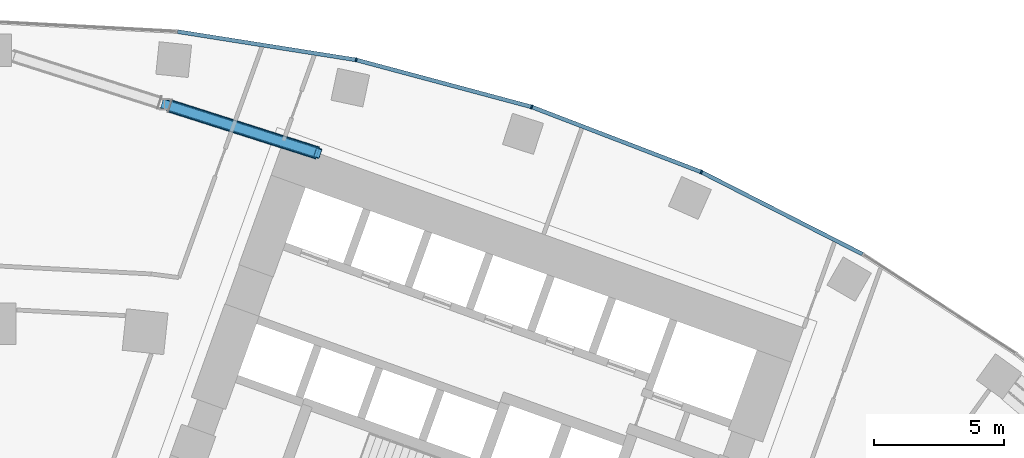
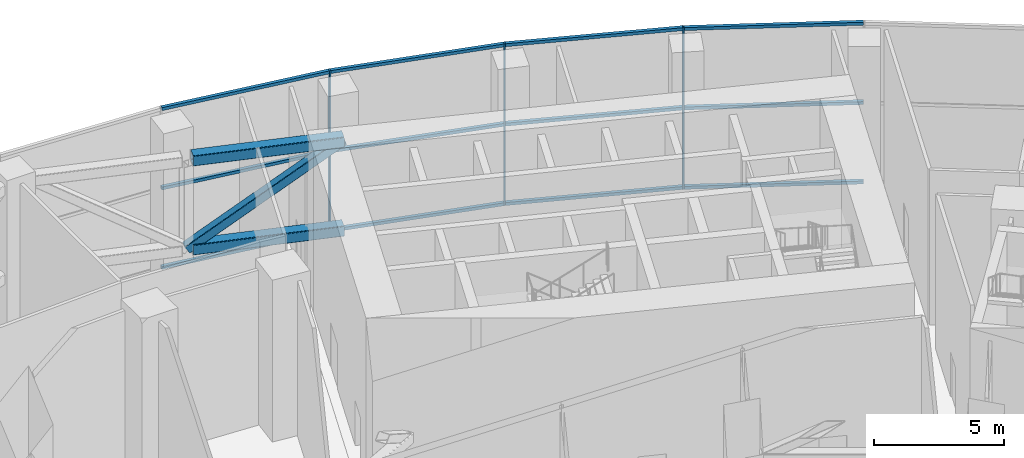
# One storey, part 13 of 33: 18 members, 1 element without a shape of its own.
"""IFC4 building model written with IfcOpenShell, lengths in metres."""

import ifcopenshell
import ifcopenshell.guid

model = None  # the IFC model being written
_history = None  # IfcOwnerHistory: only IFC2X3 demands one
_inside = {}  # id of a spatial element -> (the spatial element, [elements in it])
_under = {}  # id of a project, library or spatial element -> (it, [spatial elements below it])
_declared = {}  # id of a project -> (the project, [libraries it declares])
_typed = {}  # id of a type object -> (the type object, [elements of that type])
_made_of = {}  # id of a material, layer set ... -> (it, [elements and type objects made of it])


def new_model(schema):
    """Start an empty IFC model of exactly this schema.

    Asked for "IFC4X3", IfcOpenShell would pick the latest addendum, in which some entities
    have other attributes; the version numbers below select the first issue.
    IFC2X3 requires an IfcOwnerHistory on every rooted entity: one is made here for all.
    """
    global model, _history
    if schema == "IFC4X3":
        model = ifcopenshell.file(schema_version=(4, 3, 0, 0))
    else:
        model = ifcopenshell.file(schema=schema)
    _inside.clear()
    _under.clear()
    _declared.clear()
    _typed.clear()
    _made_of.clear()
    _history = None
    if model.schema == "IFC2X3":
        org = make("IfcOrganization", Name="unknown")
        user = make(
            "IfcPersonAndOrganization",
            ThePerson=make("IfcPerson", FamilyName="unknown"),
            TheOrganization=org,
        )
        app = make(
            "IfcApplication",
            ApplicationDeveloper=org,
            Version="unknown",
            ApplicationFullName="unknown",
            ApplicationIdentifier="unknown",
        )
        _history = make(
            "IfcOwnerHistory",
            OwningUser=user,
            OwningApplication=app,
            ChangeAction="ADDED",
            CreationDate=0,
        )
    return model


def make(cls, **values):
    """One entity of the class cls with the attributes given. An attribute that is None is left unset."""
    return model.create_entity(
        cls, **{name: value for name, value in values.items() if value is not None}
    )


def rooted(cls, **values):
    """An entity with a GlobalId (a new one), such as an element, a storey or a relation."""
    return make(cls, GlobalId=ifcopenshell.guid.new(), OwnerHistory=_history, **values)


def si_unit(unit_type, name, prefix=None):
    """IfcSIUnit, for example si_unit("LENGTHUNIT", "METRE", prefix="MILLI")."""
    return make("IfcSIUnit", UnitType=unit_type, Prefix=prefix, Name=name)


def assignment(units):
    """IfcUnitAssignment: the units of a project."""
    return None if units is None else make("IfcUnitAssignment", Units=units)


def point(xyz):
    """IfcCartesianPoint."""
    return None if xyz is None else make("IfcCartesianPoint", Coordinates=xyz)


def direction(xyz):
    """IfcDirection."""
    return None if xyz is None else make("IfcDirection", DirectionRatios=xyz)


def frame(location, z_axis=None, x_axis=None):
    """IfcAxis2Placement3D, a coordinate frame: its origin and axes. An axis left out is left unset."""
    return make(
        "IfcAxis2Placement3D",
        Location=point(location),
        Axis=direction(z_axis),
        RefDirection=direction(x_axis),
    )


def frame_2d(location, x_axis=None):
    """IfcAxis2Placement2D, a coordinate frame in the plane: its origin and x axis."""
    return make(
        "IfcAxis2Placement2D", Location=point(location), RefDirection=direction(x_axis)
    )


def origin():
    """The frame at (0, 0, 0) with its axes left unset."""
    return frame((0.0, 0.0, 0.0))


def origin_2d():
    """The frame at (0, 0) in the plane with its x axis left unset."""
    return frame_2d((0.0, 0.0))


def place(relative_to, where):
    """IfcLocalPlacement: puts the frame where relative to a parent placement (None: the world)."""
    return make(
        "IfcLocalPlacement", PlacementRelTo=relative_to, RelativePlacement=where
    )


def context(
    kind, dimensions, precision=None, world=None, true_north=None, identifier=None
):
    """IfcGeometricRepresentationContext, for example the 3D "Model" context."""
    return make(
        "IfcGeometricRepresentationContext",
        ContextIdentifier=identifier,
        ContextType=kind,
        CoordinateSpaceDimension=dimensions,
        Precision=precision,
        WorldCoordinateSystem=world,
        TrueNorth=true_north,
    )


def subcontext(parent, identifier, kind, view, scale=None):
    """IfcGeometricRepresentationSubContext, for example "Body" below "Model"."""
    return make(
        "IfcGeometricRepresentationSubContext",
        ContextIdentifier=identifier,
        ContextType=kind,
        ParentContext=parent,
        TargetScale=scale,
        TargetView=view,
    )


def project(units=None, contexts=None):
    """IfcProject with its units and contexts."""
    return rooted(
        "IfcProject",
        Name="project",
        RepresentationContexts=contexts,
        UnitsInContext=assignment(units),
    )


def spatial(cls, under=None, at=None, **own):
    """A site, building, storey or space (cls), placed at a placement, below another one or the project."""
    s = rooted(cls, ObjectPlacement=at, **own)
    if under is not None:
        _under.setdefault(under.id(), (under, []))[1].append(s)
    return s


def profile(cls, at=None, kind="AREA", **sizes):
    """A parametric profile (cls). Its sizes go by their IFC names, for example OverallWidth=200.0."""
    return make(cls, ProfileType=kind, Position=at, **sizes)


def rectangle(**sizes):
    """IfcRectangleProfileDef."""
    return profile("IfcRectangleProfileDef", **sizes)


def hollow_rectangle(**sizes):
    """IfcRectangleHollowProfileDef."""
    return profile("IfcRectangleHollowProfileDef", **sizes)


def extrude(swept, where, along, depth):
    """IfcExtrudedAreaSolid: the profile swept, set in the frame where, extruded along a direction by depth."""
    return make(
        "IfcExtrudedAreaSolid",
        SweptArea=swept,
        Position=where,
        ExtrudedDirection=direction(along),
        Depth=depth,
    )


def shape(context_of_items, identifier, shape_type, items):
    """IfcShapeRepresentation: the items that make up one representation, for example the "Body"."""
    return make(
        "IfcShapeRepresentation",
        ContextOfItems=context_of_items,
        RepresentationIdentifier=identifier,
        RepresentationType=shape_type,
        Items=items,
    )


def material(Name=None, Category=None):
    """IfcMaterial."""
    return make("IfcMaterial", Name=Name, Category=Category)


def layer(
    of_material, thickness, ventilated=None, Name=None, Category=None, Priority=None
):
    """IfcMaterialLayer: one layer of a wall or slab, of a material (None: an air gap)."""
    return make(
        "IfcMaterialLayer",
        Material=of_material,
        LayerThickness=thickness,
        IsVentilated=ventilated,
        Name=Name,
        Category=Category,
        Priority=Priority,
    )


def layer_set(layers, Name=None):
    """IfcMaterialLayerSet."""
    return make("IfcMaterialLayerSet", MaterialLayers=layers, LayerSetName=Name)


def material_profile(
    of_material, cross_section, Name=None, Category=None, Priority=None
):
    """IfcMaterialProfile: a cross section and its material."""
    return make(
        "IfcMaterialProfile",
        Name=Name,
        Material=of_material,
        Profile=cross_section,
        Priority=Priority,
        Category=Category,
    )


def profile_set(profiles, Name=None, composite=None):
    """IfcMaterialProfileSet."""
    return make(
        "IfcMaterialProfileSet",
        Name=Name,
        MaterialProfiles=profiles,
        CompositeProfile=composite,
    )


def made_of(thing, what):
    """Note that an element or type object is made of a material, layer set ...; save() writes the relation."""
    if what is not None:
        _made_of.setdefault(what.id(), (what, []))[1].append(thing)
    return thing


def type_object(cls, material=None, **own):
    """A type object (cls), such as IfcWallType, which elements share."""
    return made_of(rooted(cls, **own), material)


def element(
    cls,
    number,
    at=None,
    inside=None,
    cuts=None,
    type_object=None,
    material=None,
    context=None,
    identifier="Body",
    shape_type=None,
    held_by="IfcProductDefinitionShape",
    body=None,
    shapes=None,
    **own,
):
    """One element of the class cls, such as IfcWall. Its Tag is "e" and its number.

    at: its placement. inside: the storey or other place that contains it. cuts: it is an
    opening in that element (IfcRelVoidsElement). A single representation is given by context,
    identifier, shape_type and body (its items); several are given by shapes. held_by: the class
    of the entity that holds the representations. save() writes the other relations.
    """
    e = rooted(cls, Tag="e%d" % number, ObjectPlacement=at, **own)
    if body is not None:
        shapes = [shape(context, identifier, shape_type, body)]
    if shapes is not None:
        e.Representation = make(held_by, Representations=shapes)
    if inside is not None:
        _inside.setdefault(inside.id(), (inside, []))[1].append(e)
    if cuts is not None:
        rooted(
            "IfcRelVoidsElement", RelatingBuildingElement=cuts, RelatedOpeningElement=e
        )
    if type_object is not None:
        _typed.setdefault(type_object.id(), (type_object, []))[1].append(e)
    return made_of(e, material)


def aggregate(whole, parts):
    """IfcRelAggregates: a whole, such as a stair, and the parts it consists of."""
    return rooted("IfcRelAggregates", RelatingObject=whole, RelatedObjects=parts)


def save(model, path):
    """Write the relations noted so far, then the file.

    IfcRelAggregates (storeys below a building ...), IfcRelContainedInSpatialStructure (elements
    in a storey), IfcRelDefinesByType, IfcRelAssociatesMaterial and IfcRelDeclares: one each for
    every whole, place, type object, material and project.
    """
    for whole, parts in _under.values():
        aggregate(whole, parts)
    for where, things in _inside.values():
        rooted(
            "IfcRelContainedInSpatialStructure",
            RelatedElements=things,
            RelatingStructure=where,
        )
    for kind, things in _typed.values():
        rooted("IfcRelDefinesByType", RelatedObjects=things, RelatingType=kind)
    for what, things in _made_of.values():
        rooted("IfcRelAssociatesMaterial", RelatedObjects=things, RelatingMaterial=what)
    for by, libraries in _declared.values():
        rooted("IfcRelDeclares", RelatingContext=by, RelatedDefinitions=libraries)
    model.write(path)


model = new_model("IFC4")

# Units and contexts
model_context = context("Model", 3, precision=1e-05, world=origin(), true_north=direction((0.0, 1.0)))
body_context = subcontext(model_context, "Body", "Model", "MODEL_VIEW")
ifc_project = project(units=[si_unit("LENGTHUNIT", "METRE"), si_unit("AREAUNIT", "SQUARE_METRE"), si_unit("VOLUMEUNIT", "CUBIC_METRE"), si_unit("PLANEANGLEUNIT", "RADIAN"), si_unit("MASSUNIT", "GRAM", prefix="KILO")], contexts=[model_context])

# Site, building, storey
site_placement = place(None, origin())
site = spatial("IfcSite", under=ifc_project, at=site_placement, CompositionType="ELEMENT")
building_placement = place(site_placement, origin())
building = spatial("IfcBuilding", under=site, at=building_placement, Name="Stone Belt Terrace Tower", CompositionType="ELEMENT")
storey_placement = place(building_placement, frame((0.0, 0.0, 79.39990234375)))
storey = spatial("IfcBuildingStorey", under=building, at=storey_placement, Name="L19", CompositionType="ELEMENT", Elevation=79.39990234375)

# Curtain wall, members
ifc_material_1 = material(Name="Aluminium 6063-T6 anodised frame", Category="aluminium")
ifc_layer = layer(ifc_material_1, 0.14990234375)
ifc_layer_set = layer_set([ifc_layer], Name="CW-A unitised convex-face curtain wall")
curtain_wall_type = type_object("IfcCurtainWallType", Name="CW-A unitised convex-face curtain wall", PredefinedType="NOTDEFINED", material=ifc_layer_set)
curtain_wall_placement = place(storey_placement, origin())
curtain_wall = element("IfcCurtainWall", 1, at=curtain_wall_placement, inside=storey, type_object=curtain_wall_type, Name="CW-A convex face L19", PredefinedType="NOTDEFINED")
ifc_material_profile_1 = material_profile(ifc_material_1, rectangle(XDim=0.14990234375, YDim=0.06005859375, at=origin_2d()), Name="Aluminium 6063-T6 60x150")
ifc_profile_set_1 = profile_set([ifc_material_profile_1], Name="Aluminium 6063-T6 anodised frame")
member_type_1 = type_object("IfcMemberType", Name="CW-A mullion 60 x 150", PredefinedType="MULLION", material=ifc_profile_set_1)
member_1_placement = place(storey_placement, frame((27.07861328125, 60.8193359375, 0.0), z_axis=(0.0, 0.0, 1.0), x_axis=(-0.406736643076, -0.913545457643, 0.0)))
member_1 = element("IfcMember", 2, at=member_1_placement, type_object=member_type_1, Name="CW-A mullion 6", PredefinedType="MULLION", context=body_context, shape_type="SweptSolid", body=[
    extrude(rectangle(XDim=0.14990234375, YDim=0.06005859375, at=origin_2d()), origin(), (0.0, 0.0, 1.0), 7.60009765625),
])
member_2_placement = place(storey_placement, frame((20.57275390625, 63.316650390625, 0.0), z_axis=(0.0, 0.0, 1.0), x_axis=(-0.309016994375, -0.951056516295, 0.0)))
member_2 = element("IfcMember", 3, at=member_2_placement, type_object=member_type_1, Name="CW-A mullion 7", PredefinedType="MULLION", context=body_context, shape_type="SweptSolid", body=[
    extrude(rectangle(XDim=0.14990234375, YDim=0.06005859375, at=origin_2d()), origin(), (0.0, 0.0, 1.0), 7.60009765625),
])
member_3_placement = place(storey_placement, frame((13.841796875, 65.120361328125, 0.0), z_axis=(0.0, 0.0, 1.0), x_axis=(-0.207911690818, -0.978147600734, 0.0)))
member_3 = element("IfcMember", 4, at=member_3_placement, type_object=member_type_1, Name="CW-A mullion 8", PredefinedType="MULLION", context=body_context, shape_type="SweptSolid", body=[
    extrude(rectangle(XDim=0.14990234375, YDim=0.06005859375, at=origin_2d()), origin(), (0.0, 0.0, 1.0), 7.60009765625),
])
ifc_material_profile_2 = material_profile(ifc_material_1, rectangle(XDim=0.14990234375, YDim=0.139892578125, at=origin_2d()), Name="Aluminium 6063-T6 150x140")
ifc_profile_set_2 = profile_set([ifc_material_profile_2], Name="Aluminium 6063-T6 anodised frame")
member_type_2 = type_object("IfcMemberType", Name="CW-A transom 140 x 150", PredefinedType="USERDEFINED", material=ifc_profile_set_2)
member_4_placement = place(storey_placement, frame((33.25732421875, 57.671142578125, 0.070068359375), z_axis=(-0.891012226264, 0.453979308613, 0.0), x_axis=(-0.453979308613, -0.891012226264, 0.0)))
member_4 = element("IfcMember", 5, at=member_4_placement, type_object=member_type_2, Name="CW-A transom 5.1", ObjectType="TRANSOM", PredefinedType="USERDEFINED", context=body_context, shape_type="SweptSolid", body=[
    extrude(rectangle(XDim=0.14990234375, YDim=0.139892578125, at=origin_2d()), origin(), (0.0, 0.0, 1.0), 6.90087890625),
])
member_5_placement = place(storey_placement, frame((33.25732421875, 57.671142578125, 3.800048828125), z_axis=(-0.891012226264, 0.453979308613, 0.0), x_axis=(-0.453979308613, -0.891012226264, 0.0)))
member_5 = element("IfcMember", 6, at=member_5_placement, type_object=member_type_2, Name="CW-A transom 5.2", ObjectType="TRANSOM", PredefinedType="USERDEFINED", context=body_context, shape_type="SweptSolid", body=[
    extrude(rectangle(XDim=0.14990234375, YDim=0.139892578125, at=origin_2d()), origin(), (0.0, 0.0, 1.0), 6.90087890625),
])
member_6_placement = place(storey_placement, frame((33.25732421875, 57.671142578125, 7.530029296875), z_axis=(-0.891012226264, 0.453979308613, 0.0), x_axis=(-0.453979308613, -0.891012226264, 0.0)))
member_6 = element("IfcMember", 7, at=member_6_placement, type_object=member_type_2, Name="CW-A transom 5.3", ObjectType="TRANSOM", PredefinedType="USERDEFINED", context=body_context, shape_type="SweptSolid", body=[
    extrude(rectangle(XDim=0.14990234375, YDim=0.139892578125, at=origin_2d()), origin(), (0.0, 0.0, 1.0), 6.90087890625),
])
member_7_placement = place(storey_placement, frame((27.046875, 60.83154296875, 0.070068359375), z_axis=(-0.933585210269, 0.358355487146, 0.0), x_axis=(-0.358355487146, -0.933585210269, 0.0)))
member_7 = element("IfcMember", 8, at=member_7_placement, type_object=member_type_2, Name="CW-A transom 6.1", ObjectType="TRANSOM", PredefinedType="USERDEFINED", context=body_context, shape_type="SweptSolid", body=[
    extrude(rectangle(XDim=0.14990234375, YDim=0.139892578125, at=origin_2d()), origin(), (0.0, 0.0, 1.0), 6.900634765625),
])
member_8_placement = place(storey_placement, frame((27.046875, 60.83154296875, 3.800048828125), z_axis=(-0.933585210269, 0.358355487146, 0.0), x_axis=(-0.358355487146, -0.933585210269, 0.0)))
member_8 = element("IfcMember", 9, at=member_8_placement, type_object=member_type_2, Name="CW-A transom 6.2", ObjectType="TRANSOM", PredefinedType="USERDEFINED", context=body_context, shape_type="SweptSolid", body=[
    extrude(rectangle(XDim=0.14990234375, YDim=0.139892578125, at=origin_2d()), origin(), (0.0, 0.0, 1.0), 6.900634765625),
])
member_9_placement = place(storey_placement, frame((27.046875, 60.83154296875, 7.530029296875), z_axis=(-0.933585210269, 0.358355487146, 0.0), x_axis=(-0.358355487146, -0.933585210269, 0.0)))
member_9 = element("IfcMember", 10, at=member_9_placement, type_object=member_type_2, Name="CW-A transom 6.3", ObjectType="TRANSOM", PredefinedType="USERDEFINED", context=body_context, shape_type="SweptSolid", body=[
    extrude(rectangle(XDim=0.14990234375, YDim=0.139892578125, at=origin_2d()), origin(), (0.0, 0.0, 1.0), 6.900634765625),
])
member_10_placement = place(storey_placement, frame((20.5400390625, 63.325439453125, 0.070068359375), z_axis=(-0.965921835863, 0.258833937117, 0.0), x_axis=(-0.258833937117, -0.965921835863, 0.0)))
member_10 = element("IfcMember", 11, at=member_10_placement, type_object=member_type_2, Name="CW-A transom 7.1", ObjectType="TRANSOM", PredefinedType="USERDEFINED", context=body_context, shape_type="SweptSolid", body=[
    extrude(rectangle(XDim=0.14990234375, YDim=0.139892578125, at=origin_2d()), origin(), (0.0, 0.0, 1.0), 6.900634765625),
])
member_11_placement = place(storey_placement, frame((20.5400390625, 63.325439453125, 3.800048828125), z_axis=(-0.965921835863, 0.258833937117, 0.0), x_axis=(-0.258833937117, -0.965921835863, 0.0)))
member_11 = element("IfcMember", 12, at=member_11_placement, type_object=member_type_2, Name="CW-A transom 7.2", ObjectType="TRANSOM", PredefinedType="USERDEFINED", context=body_context, shape_type="SweptSolid", body=[
    extrude(rectangle(XDim=0.14990234375, YDim=0.139892578125, at=origin_2d()), origin(), (0.0, 0.0, 1.0), 6.900634765625),
])
member_12_placement = place(storey_placement, frame((20.5400390625, 63.325439453125, 7.530029296875), z_axis=(-0.965921835863, 0.258833937117, 0.0), x_axis=(-0.258833937117, -0.965921835863, 0.0)))
member_12 = element("IfcMember", 13, at=member_12_placement, type_object=member_type_2, Name="CW-A transom 7.3", ObjectType="TRANSOM", PredefinedType="USERDEFINED", context=body_context, shape_type="SweptSolid", body=[
    extrude(rectangle(XDim=0.14990234375, YDim=0.139892578125, at=origin_2d()), origin(), (0.0, 0.0, 1.0), 6.900634765625),
])
member_13_placement = place(storey_placement, frame((13.808349609375, 65.12548828125, 0.070068359375), z_axis=(-0.987687120531, 0.156442168027, 0.0), x_axis=(-0.156442168027, -0.987687120531, 0.0)))
member_13 = element("IfcMember", 14, at=member_13_placement, type_object=member_type_2, Name="CW-A transom 8.1", ObjectType="TRANSOM", PredefinedType="USERDEFINED", context=body_context, shape_type="SweptSolid", body=[
    extrude(rectangle(XDim=0.14990234375, YDim=0.139892578125, at=origin_2d()), origin(), (0.0, 0.0, 1.0), 6.90087890625),
])
member_14_placement = place(storey_placement, frame((13.808349609375, 65.12548828125, 3.800048828125), z_axis=(-0.987687120531, 0.156442168027, 0.0), x_axis=(-0.156442168027, -0.987687120531, 0.0)))
member_14 = element("IfcMember", 15, at=member_14_placement, type_object=member_type_2, Name="CW-A transom 8.2", ObjectType="TRANSOM", PredefinedType="USERDEFINED", context=body_context, shape_type="SweptSolid", body=[
    extrude(rectangle(XDim=0.14990234375, YDim=0.139892578125, at=origin_2d()), origin(), (0.0, 0.0, 1.0), 6.90087890625),
])
member_15_placement = place(storey_placement, frame((13.808349609375, 65.12548828125, 7.530029296875), z_axis=(-0.987687120531, 0.156442168027, 0.0), x_axis=(-0.156442168027, -0.987687120531, 0.0)))
member_15 = element("IfcMember", 16, at=member_15_placement, type_object=member_type_2, Name="CW-A transom 8.3", ObjectType="TRANSOM", PredefinedType="USERDEFINED", context=body_context, shape_type="SweptSolid", body=[
    extrude(rectangle(XDim=0.14990234375, YDim=0.139892578125, at=origin_2d()), origin(), (0.0, 0.0, 1.0), 6.90087890625),
])
aggregate(curtain_wall, [member_1, member_2, member_3, member_4, member_5, member_6, member_7, member_8, member_9, member_10, member_11, member_12, member_13, member_14, member_15])

# Members
ifc_material_2 = material(Name="Structural steel C345", Category="steel")
ifc_material_profile_3 = material_profile(ifc_material_2, hollow_rectangle(XDim=0.5, YDim=0.5, WallThickness=0.02001953125, InnerFilletRadius=0.0400390625, OuterFilletRadius=0.06005859375, at=origin_2d()), Name="SHS 500x500x20")
ifc_profile_set_3 = profile_set([ifc_material_profile_3], Name="Structural steel C345")
member_type_3 = type_object("IfcMemberType", Name="Outrigger chord SHS 500x500x20", PredefinedType="CHORD", material=ifc_profile_set_3)
for number, where, z_axis, x_axis, name in (
    (17, (6.709716796875, 63.350830078125, 7.030029296875), (0.952802148234, -0.303591940475, 0.0), (0.303591940475, 0.952802148234, 0.0), "Outrigger T1 coreB-mid-R top chord 2"),
    (18, (6.709716796875, 63.350830078125, 2.85009765625), (0.952802148234, -0.303591940475, 0.0), (0.303591940475, 0.952802148234, 0.0), "Outrigger T1 coreB-mid-R bot chord 2"),
):
    element("IfcMember", number, at=place(storey_placement, frame(where, z_axis=z_axis, x_axis=x_axis)), inside=storey, type_object=member_type_3, Name=name, PredefinedType="CHORD", context=body_context, shape_type="SweptSolid", body=[
        extrude(hollow_rectangle(XDim=0.5, YDim=0.5, WallThickness=0.02001953125, InnerFilletRadius=0.0400390625, OuterFilletRadius=0.06005859375, at=origin_2d()), origin(), (0.0, 0.0, 1.0), 5.94287109375),
    ])
ifc_material_profile_4 = material_profile(ifc_material_2, hollow_rectangle(XDim=0.39990234375, YDim=0.39990234375, WallThickness=0.01611328125, InnerFilletRadius=0.031982421875, OuterFilletRadius=0.048095703125, at=origin_2d()), Name="SHS 400x400x16")
ifc_profile_set_4 = profile_set([ifc_material_profile_4], Name="Structural steel C345")
member_type_4 = type_object("IfcMemberType", Name="Outrigger diagonal SHS 400x400x16", PredefinedType="BRACE", material=ifc_profile_set_4)
member_16_placement = place(storey_placement, frame((6.49853515625, 63.418212890625, 2.85009765625), z_axis=(0.788603134784, -0.251285710834, 0.561213495329), x_axis=(0.303605765191, 0.952797743145, 0.0)))
element("IfcMember", 19, at=member_16_placement, inside=storey, type_object=member_type_4, Name="Outrigger T1 coreB-mid-R diagonal 2", PredefinedType="BRACE", context=body_context, shape_type="SweptSolid", body=[
    extrude(hollow_rectangle(XDim=0.39990234375, YDim=0.39990234375, WallThickness=0.01611328125, InnerFilletRadius=0.031982421875, OuterFilletRadius=0.048095703125, at=origin_2d()), origin(), (0.0, 0.0, 1.0), 7.447998046875),
])

save(model, "model.ifc")
